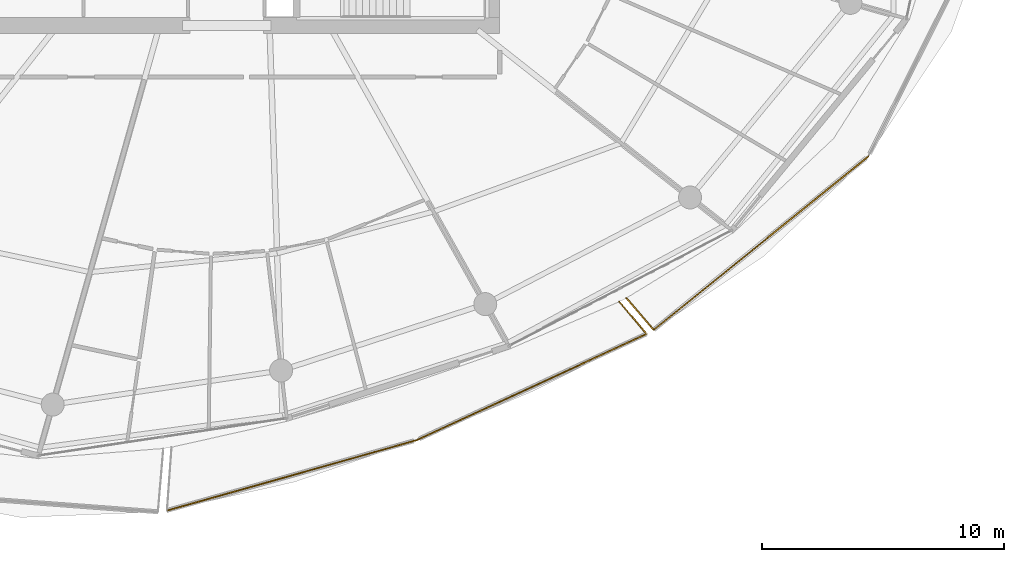
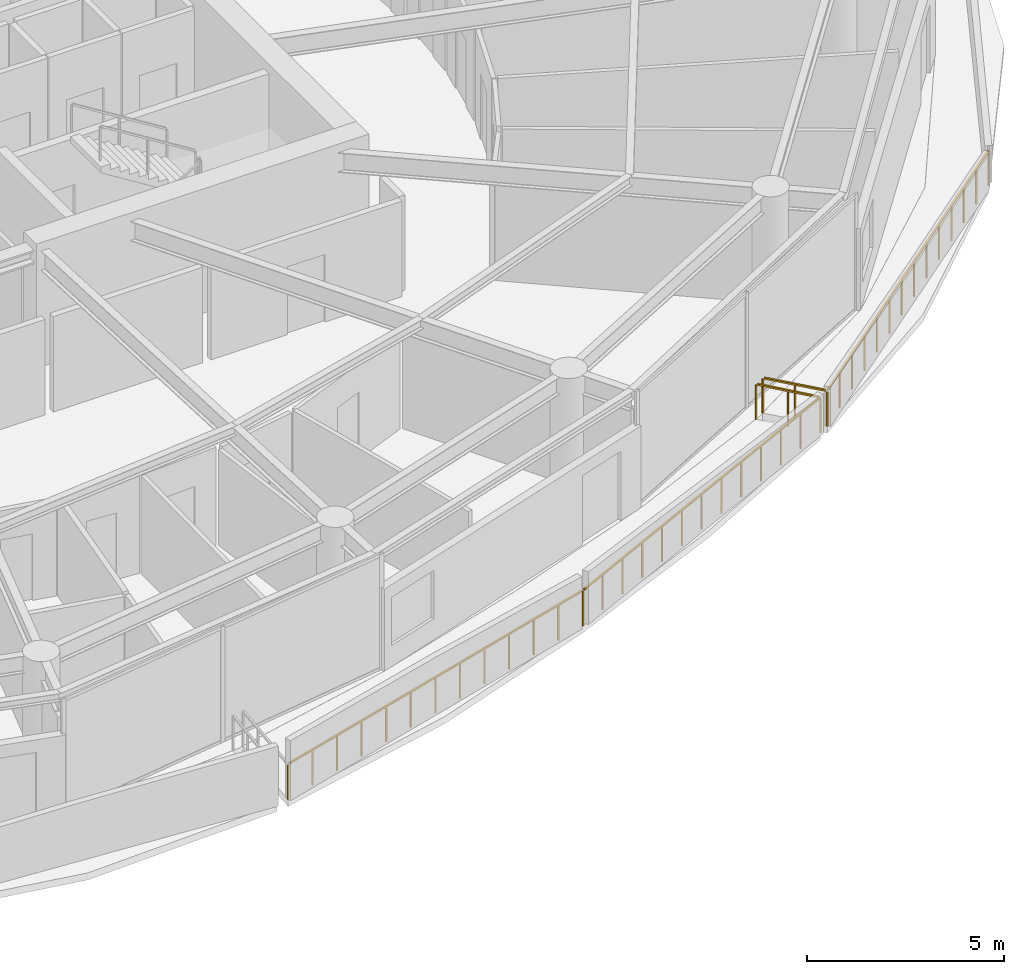
# One storey, part 26 of 30: 5 railings.
"""IFC4 building model written with IfcOpenShell, lengths in metres."""

from ifc_helpers import new_model, si_unit, direction, frame, origin, origin_2d, place, context, subcontext, project, spatial, rectangle, extrude, material, type_object, element, save


model = new_model("IFC4")

# Units and contexts
model_context = context("Model", 3, precision=1e-05, world=origin(), true_north=direction((0.0, 1.0)))
body_context = subcontext(model_context, "Body", "Model", "MODEL_VIEW")
ifc_project = project(units=[si_unit("LENGTHUNIT", "METRE"), si_unit("AREAUNIT", "SQUARE_METRE"), si_unit("VOLUMEUNIT", "CUBIC_METRE"), si_unit("PLANEANGLEUNIT", "RADIAN"), si_unit("MASSUNIT", "GRAM", prefix="KILO")], contexts=[model_context])

# Site, building, storey
site_placement = place(None, origin())
site = spatial("IfcSite", under=ifc_project, at=site_placement, CompositionType="ELEMENT")
building_placement = place(site_placement, origin())
building = spatial("IfcBuilding", under=site, at=building_placement, Name="Kazma Halo Residences", CompositionType="ELEMENT")
storey_placement = place(building_placement, frame((0.0, 0.0, 267.5)))
storey = spatial("IfcBuildingStorey", under=building, at=storey_placement, Name="L67", CompositionType="ELEMENT", Elevation=267.5)

# Railings
ifc_material = material(Name="Aluminium AW-6063 T6 Brushed Cap Rail", Category="aluminium")
railing_type = type_object("IfcRailingType", Name="RLG-BAL-CAP-1120", PredefinedType="BALUSTRADE", material=ifc_material)
railing_1_placement = place(storey_placement, frame((45.94189453125, 13.635498046875, 0.0)))
element("IfcRailing", 1, at=railing_1_placement, inside=storey, type_object=railing_type, Name="L67 SSE wave balcony guard 2", PredefinedType="BALUSTRADE", context=body_context, shape_type="SweptSolid", body=[
    extrude(rectangle(XDim=0.050048828125, YDim=0.050048828125, at=origin_2d()), frame((0.041015625, 0.011474609375, 1.09521484375), z_axis=(0.962459277596, 0.271426120647, 0.0), x_axis=(-0.271426120647, 0.962459277596, 0.0)), (0.0, 0.0, 1.0), 10.645751953125),
    extrude(rectangle(XDim=0.0400390625, YDim=0.0400390625, at=origin_2d()), origin(), (0.0, 0.0, 1.0), 1.05810546875),
    extrude(rectangle(XDim=0.0400390625, YDim=0.0400390625, at=origin_2d()), frame((0.860595703125, 0.24267578125, 0.0)), (0.0, 0.0, 1.0), 1.05810546875),
    extrude(rectangle(XDim=0.0400390625, YDim=0.0400390625, at=origin_2d()), frame((1.72119140625, 0.4853515625, 0.0)), (0.0, 0.0, 1.0), 1.05810546875),
    extrude(rectangle(XDim=0.0400390625, YDim=0.0400390625, at=origin_2d()), frame((2.58203125, 0.72802734375, 0.0)), (0.0, 0.0, 1.0), 1.05810546875),
    extrude(rectangle(XDim=0.0400390625, YDim=0.0400390625, at=origin_2d()), frame((3.442626953125, 0.970947265625, 0.0)), (0.0, 0.0, 1.0), 1.05810546875),
    extrude(rectangle(XDim=0.0400390625, YDim=0.0400390625, at=origin_2d()), frame((4.30322265625, 1.213623046875, 0.0)), (0.0, 0.0, 1.0), 1.05810546875),
    extrude(rectangle(XDim=0.0400390625, YDim=0.0400390625, at=origin_2d()), frame((5.1640625, 1.456298828125, 0.0)), (0.0, 0.0, 1.0), 1.05810546875),
    extrude(rectangle(XDim=0.0400390625, YDim=0.0400390625, at=origin_2d()), frame((6.024658203125, 1.698974609375, 0.0)), (0.0, 0.0, 1.0), 1.05810546875),
    extrude(rectangle(XDim=0.0400390625, YDim=0.0400390625, at=origin_2d()), frame((6.88525390625, 1.941650390625, 0.0)), (0.0, 0.0, 1.0), 1.05810546875),
    extrude(rectangle(XDim=0.0400390625, YDim=0.0400390625, at=origin_2d()), frame((7.745849609375, 2.1845703125, 0.0)), (0.0, 0.0, 1.0), 1.05810546875),
    extrude(rectangle(XDim=0.0400390625, YDim=0.0400390625, at=origin_2d()), frame((8.6064453125, 2.42724609375, 0.0)), (0.0, 0.0, 1.0), 1.05810546875),
    extrude(rectangle(XDim=0.0400390625, YDim=0.0400390625, at=origin_2d()), frame((9.46728515625, 2.669921875, 0.0)), (0.0, 0.0, 1.0), 1.05810546875),
    extrude(rectangle(XDim=0.0400390625, YDim=0.0400390625, at=origin_2d()), frame((10.327880859375, 2.91259765625, 0.0)), (0.0, 0.0, 1.0), 1.05810546875),
])
railing_2_placement = place(storey_placement, frame((56.269775390625, 16.548095703125, 0.0)))
element("IfcRailing", 2, at=railing_2_placement, inside=storey, type_object=railing_type, Name="L67 SSE wave balcony guard 3", PredefinedType="BALUSTRADE", context=body_context, shape_type="SweptSolid", body=[
    extrude(rectangle(XDim=0.050048828125, YDim=0.050048828125, at=origin_2d()), frame((0.03857421875, 0.017822265625, 1.09521484375), z_axis=(0.907848041768, 0.419299335867, 0.0), x_axis=(-0.419299335867, 0.907848041768, 0.0)), (0.0, 0.0, 1.0), 10.378662109375),
    extrude(rectangle(XDim=0.0400390625, YDim=0.0400390625, at=origin_2d()), origin(), (0.0, 0.0, 1.0), 1.05810546875),
    extrude(rectangle(XDim=0.0400390625, YDim=0.0400390625, at=origin_2d()), frame((0.79150390625, 0.36572265625, 0.0)), (0.0, 0.0, 1.0), 1.05810546875),
    extrude(rectangle(XDim=0.0400390625, YDim=0.0400390625, at=origin_2d()), frame((1.583251953125, 0.731201171875, 0.0)), (0.0, 0.0, 1.0), 1.05810546875),
    extrude(rectangle(XDim=0.0400390625, YDim=0.0400390625, at=origin_2d()), frame((2.375, 1.096923828125, 0.0)), (0.0, 0.0, 1.0), 1.05810546875),
    extrude(rectangle(XDim=0.0400390625, YDim=0.0400390625, at=origin_2d()), frame((3.16650390625, 1.46240234375, 0.0)), (0.0, 0.0, 1.0), 1.05810546875),
    extrude(rectangle(XDim=0.0400390625, YDim=0.0400390625, at=origin_2d()), frame((3.9580078125, 1.828125, 0.0)), (0.0, 0.0, 1.0), 1.05810546875),
    extrude(rectangle(XDim=0.0400390625, YDim=0.0400390625, at=origin_2d()), frame((4.749755859375, 2.19384765625, 0.0)), (0.0, 0.0, 1.0), 1.05810546875),
    extrude(rectangle(XDim=0.0400390625, YDim=0.0400390625, at=origin_2d()), frame((5.54150390625, 2.559326171875, 0.0)), (0.0, 0.0, 1.0), 1.05810546875),
    extrude(rectangle(XDim=0.0400390625, YDim=0.0400390625, at=origin_2d()), frame((6.3330078125, 2.925048828125, 0.0)), (0.0, 0.0, 1.0), 1.05810546875),
    extrude(rectangle(XDim=0.0400390625, YDim=0.0400390625, at=origin_2d()), frame((7.12451171875, 3.29052734375, 0.0)), (0.0, 0.0, 1.0), 1.05810546875),
    extrude(rectangle(XDim=0.0400390625, YDim=0.0400390625, at=origin_2d()), frame((7.916259765625, 3.65625, 0.0)), (0.0, 0.0, 1.0), 1.05810546875),
    extrude(rectangle(XDim=0.0400390625, YDim=0.0400390625, at=origin_2d()), frame((8.7080078125, 4.021728515625, 0.0)), (0.0, 0.0, 1.0), 1.05810546875),
    extrude(rectangle(XDim=0.0400390625, YDim=0.0400390625, at=origin_2d()), frame((9.49951171875, 4.387451171875, 0.0)), (0.0, 0.0, 1.0), 1.05810546875),
])
railing_3_placement = place(storey_placement, frame((65.769287109375, 20.935546875, 0.0)))
element("IfcRailing", 3, at=railing_3_placement, inside=storey, type_object=railing_type, Name="L67 SSE wave balcony guard 4", PredefinedType="BALUSTRADE", context=body_context, shape_type="SweptSolid", body=[
    extrude(rectangle(XDim=0.050048828125, YDim=0.050048828125, at=origin_2d()), frame((-0.02734375, 0.032470703125, 1.09521484375), z_axis=(-0.644812173363, 0.764341063324, 0.0), x_axis=(-0.764341063324, -0.644812173363, 0.0)), (0.0, 0.0, 1.0), 1.6591796875),
    extrude(rectangle(XDim=0.0400390625, YDim=0.0400390625, at=origin_2d()), origin(), (0.0, 0.0, 1.0), 1.05810546875),
    extrude(rectangle(XDim=0.0400390625, YDim=0.0400390625, at=origin_2d()), frame((-0.5625, 0.66650390625, 0.0)), (0.0, 0.0, 1.0), 1.05810546875),
    extrude(rectangle(XDim=0.0400390625, YDim=0.0400390625, at=origin_2d()), frame((-1.124755859375, 1.333251953125, 0.0)), (0.0, 0.0, 1.0), 1.05810546875),
])
railing_4_placement = place(storey_placement, frame((64.93212890625, 22.41845703125, 0.0)))
element("IfcRailing", 4, at=railing_4_placement, inside=storey, type_object=railing_type, Name="L67 SE wave balcony guard 1", PredefinedType="BALUSTRADE", context=body_context, shape_type="SweptSolid", body=[
    extrude(rectangle(XDim=0.050048828125, YDim=0.050048828125, at=origin_2d()), frame((0.02783203125, -0.0322265625, 1.09521484375), z_axis=(0.654051886651, -0.7564496874, 0.0), x_axis=(0.7564496874, 0.654051886651, 0.0)), (0.0, 0.0, 1.0), 1.650634765625),
    extrude(rectangle(XDim=0.0400390625, YDim=0.0400390625, at=origin_2d()), origin(), (0.0, 0.0, 1.0), 1.05810546875),
    extrude(rectangle(XDim=0.0400390625, YDim=0.0400390625, at=origin_2d()), frame((0.567626953125, -0.656494140625, 0.0)), (0.0, 0.0, 1.0), 1.05810546875),
    extrude(rectangle(XDim=0.0400390625, YDim=0.0400390625, at=origin_2d()), frame((1.13525390625, -1.31298828125, 0.0)), (0.0, 0.0, 1.0), 1.05810546875),
])
railing_5_placement = place(storey_placement, frame((66.0673828125, 21.10546875, 0.0)))
element("IfcRailing", 5, at=railing_5_placement, inside=storey, type_object=railing_type, Name="L67 SE wave balcony guard 2", PredefinedType="BALUSTRADE", context=body_context, shape_type="SweptSolid", body=[
    extrude(rectangle(XDim=0.050048828125, YDim=0.050048828125, at=origin_2d()), frame((0.033203125, 0.02685546875, 1.09521484375), z_axis=(0.777696828028, 0.628639518067, 0.0), x_axis=(-0.628639518067, 0.777696828028, 0.0)), (0.0, 0.0, 1.0), 11.319580078125),
    extrude(rectangle(XDim=0.0400390625, YDim=0.0400390625, at=origin_2d()), origin(), (0.0, 0.0, 1.0), 1.05810546875),
    extrude(rectangle(XDim=0.0400390625, YDim=0.0400390625, at=origin_2d()), frame((0.682373046875, 0.551513671875, 0.0)), (0.0, 0.0, 1.0), 1.05810546875),
    extrude(rectangle(XDim=0.0400390625, YDim=0.0400390625, at=origin_2d()), frame((1.364501953125, 1.10302734375, 0.0)), (0.0, 0.0, 1.0), 1.05810546875),
    extrude(rectangle(XDim=0.0400390625, YDim=0.0400390625, at=origin_2d()), frame((2.046875, 1.654541015625, 0.0)), (0.0, 0.0, 1.0), 1.05810546875),
    extrude(rectangle(XDim=0.0400390625, YDim=0.0400390625, at=origin_2d()), frame((2.72900390625, 2.2060546875, 0.0)), (0.0, 0.0, 1.0), 1.05810546875),
    extrude(rectangle(XDim=0.0400390625, YDim=0.0400390625, at=origin_2d()), frame((3.411376953125, 2.757568359375, 0.0)), (0.0, 0.0, 1.0), 1.05810546875),
    extrude(rectangle(XDim=0.0400390625, YDim=0.0400390625, at=origin_2d()), frame((4.093505859375, 3.30908203125, 0.0)), (0.0, 0.0, 1.0), 1.05810546875),
    extrude(rectangle(XDim=0.0400390625, YDim=0.0400390625, at=origin_2d()), frame((4.77587890625, 3.8603515625, 0.0)), (0.0, 0.0, 1.0), 1.05810546875),
    extrude(rectangle(XDim=0.0400390625, YDim=0.0400390625, at=origin_2d()), frame((5.4580078125, 4.411865234375, 0.0)), (0.0, 0.0, 1.0), 1.05810546875),
    extrude(rectangle(XDim=0.0400390625, YDim=0.0400390625, at=origin_2d()), frame((6.140380859375, 4.96337890625, 0.0)), (0.0, 0.0, 1.0), 1.05810546875),
    extrude(rectangle(XDim=0.0400390625, YDim=0.0400390625, at=origin_2d()), frame((6.822509765625, 5.514892578125, 0.0)), (0.0, 0.0, 1.0), 1.05810546875),
    extrude(rectangle(XDim=0.0400390625, YDim=0.0400390625, at=origin_2d()), frame((7.5048828125, 6.06640625, 0.0)), (0.0, 0.0, 1.0), 1.05810546875),
    extrude(rectangle(XDim=0.0400390625, YDim=0.0400390625, at=origin_2d()), frame((8.18701171875, 6.617919921875, 0.0)), (0.0, 0.0, 1.0), 1.05810546875),
    extrude(rectangle(XDim=0.0400390625, YDim=0.0400390625, at=origin_2d()), frame((8.869384765625, 7.16943359375, 0.0)), (0.0, 0.0, 1.0), 1.05810546875),
])

save(model, "model.ifc")
